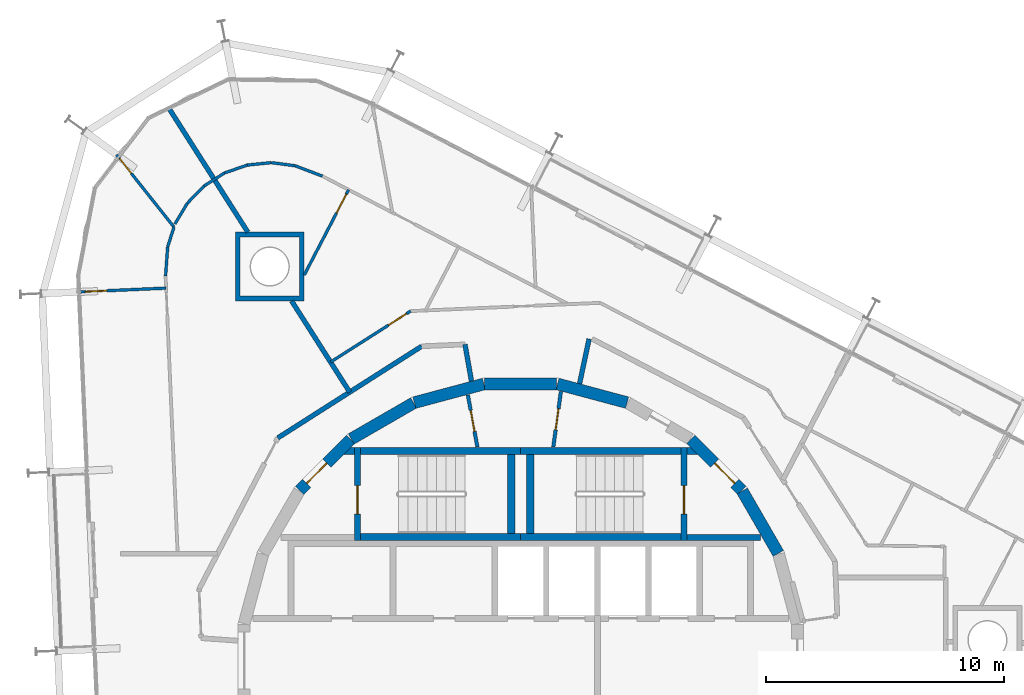
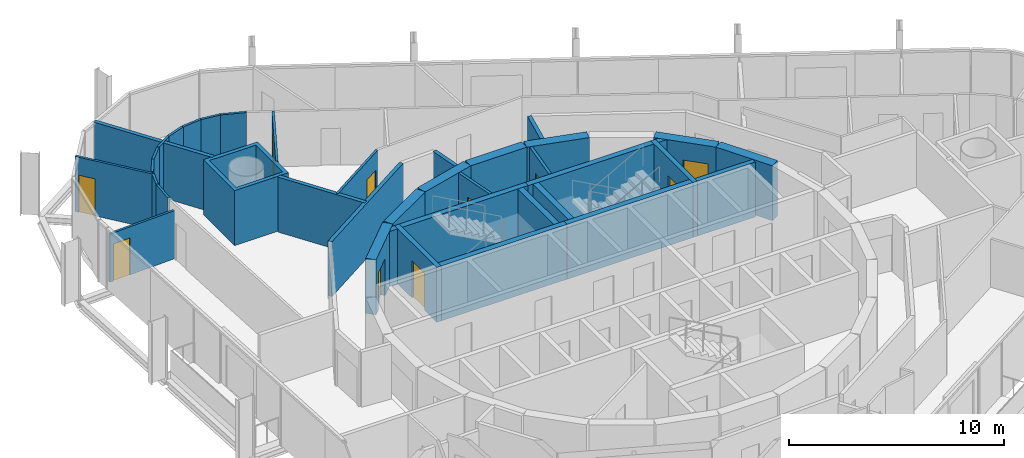
# One storey, part 15 of 17: 39 walls, 10 doors, 10 openings.
"""IFC4 building model written with IfcOpenShell, lengths in metres."""

from ifc_helpers import new_model, si_unit, direction, frame, frame_2d, origin, place, context, subcontext, project, spatial, polyline, rectangle, outline, extrude, material, layer, layer_set, type_object, element, fill, save


model = new_model("IFC4")

# Units and contexts
model_context = context("Model", 3, precision=1e-05, world=origin(), true_north=direction((0.0, 1.0)))
body_context = subcontext(model_context, "Body", "Model", "MODEL_VIEW")
ifc_project = project(units=[si_unit("LENGTHUNIT", "METRE"), si_unit("AREAUNIT", "SQUARE_METRE"), si_unit("VOLUMEUNIT", "CUBIC_METRE"), si_unit("PLANEANGLEUNIT", "RADIAN"), si_unit("MASSUNIT", "GRAM", prefix="KILO")], contexts=[model_context])

# Site, building, storey
site_placement = place(None, origin())
site = spatial("IfcSite", under=ifc_project, at=site_placement, CompositionType="ELEMENT")
building_placement = place(site_placement, origin())
building = spatial("IfcBuilding", under=site, at=building_placement, Name="Spindle Arch Residences", CompositionType="ELEMENT")
storey_placement = place(building_placement, frame((0.0, 0.0, 237.199951171875)))
storey = spatial("IfcBuildingStorey", under=building, at=storey_placement, Name="L60", CompositionType="ELEMENT", Elevation=237.199951171875)

# Wall
ifc_material_1 = material(Name="Concrete C50/60", Category="concrete")
ifc_layer_1 = layer(ifc_material_1, 0.5)
ifc_layer_set_1 = layer_set([ifc_layer_1], Name="Core outline wall 500")
wall_type_1 = type_object("IfcWallType", Name="Core outline wall 500", PredefinedType="SHEAR", material=ifc_layer_set_1)
wall_1_placement = place(storey_placement, frame((10.84521484375, 4.510498046875, 0.0), z_axis=(0.0, 0.0, 1.0), x_axis=(-0.500087131594, 0.865975092491, 0.0)))
element("IfcWall", 1, at=wall_1_placement, inside=storey, type_object=wall_type_1, Name="Core outline wall 8", PredefinedType="SHEAR", context=body_context, shape_type="SweptSolid", body=[
    extrude(rectangle(XDim=3.03271484375, YDim=0.5, at=frame_2d((1.516357421875, 0.0))), origin(), (0.0, 0.0, 1.0), 3.1201171875),
])

# Wall, opening, door
wall_2_placement = place(storey_placement, frame((9.30810546875, 7.163818359375, 0.0), z_axis=(0.0, 0.0, 1.0), x_axis=(-0.707106781187, 0.707106781187, 0.0)))
wall_2 = element("IfcWall", 2, at=wall_2_placement, inside=storey, type_object=wall_type_1, Name="Core outline wall 9", PredefinedType="SHEAR", context=body_context, shape_type="SweptSolid", body=[
    extrude(rectangle(XDim=3.032470703125, YDim=0.5, at=frame_2d((1.51611328125, 0.0))), origin(), (0.0, 0.0, 1.0), 3.1201171875),
])
opening_1_placement = place(wall_2_placement, frame((0.416259765625, 0.0, 0.0)))
opening_1 = element("IfcOpeningElement", 3, at=opening_1_placement, cuts=wall_2, Name="Opening R6B1-AD01", PredefinedType="OPENING", context=body_context, shape_type="SweptSolid", body=[
    extrude(rectangle(XDim=1.199951171875, YDim=2.10009765625, at=frame_2d((0.60009765625, 1.050048828125))), frame((0.0, 0.260009765625, 0.0), z_axis=(0.0, -1.0, 0.0), x_axis=(1.0, 0.0, 0.0)), (0.0, 0.0, 1.0), 0.52001953125),
])
ifc_material_2 = material(Name="Steel, fire-resisting door", Category="steel")
door_type_1 = type_object("IfcDoorType", Name="Stair airlock door 1200x2100", OperationType="SINGLE_SWING_LEFT", PredefinedType="DOOR", material=ifc_material_2)
door_1_placement = place(opening_1_placement, origin())
door_1 = element("IfcDoor", 4, at=door_1_placement, inside=storey, type_object=door_type_1, Name="Stair airlock door R6B1-AD01", OperationType="SINGLE_SWING_RIGHT", OverallHeight=2.10009765625, OverallWidth=1.199951171875, PredefinedType="DOOR", context=body_context, shape_type="SweptSolid", body=[
    extrude(rectangle(XDim=1.199951171875, YDim=2.10009765625, at=frame_2d((0.60009765625, 1.050048828125))), frame((0.0, 0.02490234375, 0.0), z_axis=(0.0, -1.0, 0.0), x_axis=(1.0, 0.0, 0.0)), (0.0, 0.0, 1.0), 0.050048828125),
])
fill(opening_1, door_1)

# Walls
for number, where, z_axis, x_axis, name in (
    (5, (4.479248046875, 10.858154296875, 0.0), (0.0, 0.0, 1.0), (-0.965948410781, 0.258734743916, 0.0), "Core outline wall 11"),
    (6, (1.516357421875, 11.647216796875, 0.0), (0.0, 0.0, 1.0), (-1.0, 0.0, 0.0), "Core outline wall 12"),
    (7, (-1.5498046875, 11.642822265625, 0.0), (0.0, 0.0, 1.0), (-0.965948410781, -0.258734743916, 0.0), "Core outline wall 13"),
    (8, (-4.510498046875, 10.84521484375, 0.0), (0.0, 0.0, 1.0), (-0.865975092491, -0.500087131594, 0.0), "Core outline wall 14"),
):
    element("IfcWall", number, at=place(storey_placement, frame(where, z_axis=z_axis, x_axis=x_axis)), inside=storey, type_object=wall_type_1, Name=name, PredefinedType="SHEAR", context=body_context, shape_type="SweptSolid", body=[
        extrude(rectangle(XDim=3.03271484375, YDim=0.5, at=frame_2d((1.516357421875, 0.0))), origin(), (0.0, 0.0, 1.0), 3.1201171875),
    ])

# Wall, opening, door
wall_3_placement = place(storey_placement, frame((-7.163818359375, 9.30810546875, 0.0), z_axis=(0.0, 0.0, 1.0), x_axis=(-0.707106781187, -0.707106781187, 0.0)))
wall_3 = element("IfcWall", 9, at=wall_3_placement, inside=storey, type_object=wall_type_1, Name="Core outline wall 15", PredefinedType="SHEAR", context=body_context, shape_type="SweptSolid", body=[
    extrude(rectangle(XDim=3.032470703125, YDim=0.5, at=frame_2d((1.51611328125, 0.0))), origin(), (0.0, 0.0, 1.0), 3.1201171875),
])
opening_2_placement = place(wall_3_placement, frame((1.416259765625, 0.0, 0.0)))
opening_2 = element("IfcOpeningElement", 10, at=opening_2_placement, cuts=wall_3, Name="Opening R6B1-AD02", PredefinedType="OPENING", context=body_context, shape_type="SweptSolid", body=[
    extrude(rectangle(XDim=1.199951171875, YDim=2.10009765625, at=frame_2d((0.60009765625, 1.050048828125))), frame((0.0, 0.260009765625, 0.0), z_axis=(0.0, -1.0, 0.0), x_axis=(1.0, 0.0, 0.0)), (0.0, 0.0, 1.0), 0.52001953125),
])
door_2_placement = place(opening_2_placement, origin())
door_2 = element("IfcDoor", 11, at=door_2_placement, inside=storey, type_object=door_type_1, Name="Stair airlock door R6B1-AD02", OperationType="SINGLE_SWING_RIGHT", OverallHeight=2.10009765625, OverallWidth=1.199951171875, PredefinedType="DOOR", context=body_context, shape_type="SweptSolid", body=[
    extrude(rectangle(XDim=1.199951171875, YDim=2.10009765625, at=frame_2d((0.60009765625, 1.050048828125))), frame((0.0, 0.02490234375, 0.0), z_axis=(0.0, -1.0, 0.0), x_axis=(1.0, 0.0, 0.0)), (0.0, 0.0, 1.0), 0.050048828125),
])
fill(opening_2, door_2)

# Walls
ifc_material_3 = material(Name="Calcium silicate block, plastered")
ifc_layer_2 = layer(ifc_material_3, 0.199951171875)
ifc_layer_set_2 = layer_set([ifc_layer_2], Name="Corridor wall 200")
wall_type_2 = type_object("IfcWallType", Name="Corridor wall 200", PredefinedType="STANDARD", material=ifc_layer_set_2)
wall_4_placement = place(storey_placement, frame((2.877685546875, 13.538330078125, 0.0), z_axis=(0.0, 0.0, 1.0), x_axis=(-0.207893604596, -0.978151444904, 0.0)))
element("IfcWall", 12, at=wall_4_placement, inside=storey, type_object=wall_type_2, Name="Corridor wall R6B1-W006", PredefinedType="STANDARD", context=body_context, shape_type="SweptSolid", body=[
    extrude(rectangle(XDim=1.927001953125, YDim=0.199951171875, at=frame_2d((0.96337890625, 0.0))), origin(), (0.0, 0.0, 1.0), 3.1201171875),
])
wall_5_placement = place(storey_placement, frame((-2.07373046875, 11.76123046875, 0.0), z_axis=(0.0, 0.0, 1.0), x_axis=(-0.173679082312, 0.984802303189, 0.0)))
element("IfcWall", 13, at=wall_5_placement, inside=storey, type_object=wall_type_2, Name="Corridor wall R6B1-W010", PredefinedType="STANDARD", context=body_context, shape_type="SweptSolid", body=[
    extrude(rectangle(XDim=1.572998046875, YDim=0.199951171875, at=frame_2d((0.78662109375, 0.0))), origin(), (0.0, 0.0, 1.0), 3.1201171875),
])
wall_6_placement = place(storey_placement, frame((-4.171630859375, 13.230712890625, 0.0), z_axis=(0.0, 0.0, 1.0), x_axis=(-0.843388394728, -0.537304397561, 0.0)))
element("IfcWall", 14, at=wall_6_placement, inside=storey, type_object=wall_type_2, Name="Corridor wall R6B1-W012", PredefinedType="STANDARD", context=body_context, shape_type="SweptSolid", body=[
    extrude(rectangle(XDim=7.180908203125, YDim=0.199951171875, at=frame_2d((3.59033203125, 0.0))), origin(), (0.0, 0.0, 1.0), 3.1201171875),
])

# Wall, opening, door
ifc_material_4 = material(Name="Plasterboard on steel studs", Category="steel")
ifc_layer_3 = layer(ifc_material_4, 0.1201171875)
ifc_layer_set_3 = layer_set([ifc_layer_3], Name="Flat partition 120")
wall_type_3 = type_object("IfcWallType", Name="Flat partition 120", PredefinedType="PARTITIONING", material=ifc_layer_set_3)
wall_7_placement = place(storey_placement, frame((-4.638671875, 14.711669921875, 0.0), z_axis=(0.0, 0.0, 1.0), x_axis=(-0.843376843237, -0.537322529113, 0.0)))
wall_7 = element("IfcWall", 15, at=wall_7_placement, inside=storey, type_object=wall_type_3, Name="Flat partition R6B1-W053", PredefinedType="PARTITIONING", context=body_context, shape_type="SweptSolid", body=[
    extrude(rectangle(XDim=3.992431640625, YDim=0.1201171875, at=frame_2d((1.99609375, 0.0))), origin(), (0.0, 0.0, 1.0), 3.1201171875),
])
opening_3_placement = place(wall_7_placement, frame((0.199951171875, 0.0, 0.0)))
opening_3 = element("IfcOpeningElement", 16, at=opening_3_placement, cuts=wall_7, Name="Opening R6B1-ID07", PredefinedType="OPENING", context=body_context, shape_type="SweptSolid", body=[
    extrude(rectangle(XDim=0.89990234375, YDim=2.10009765625, at=frame_2d((0.449951171875, 1.050048828125))), frame((0.0, 0.070068359375, 0.0), z_axis=(0.0, -1.0, 0.0), x_axis=(1.0, 0.0, 0.0)), (0.0, 0.0, 1.0), 0.14013671875),
])
ifc_material_5 = material(Name="Timber door set", Category="wood")
door_type_2 = type_object("IfcDoorType", Name="Room door 900x2100", OperationType="NOTDEFINED", PredefinedType="DOOR", material=ifc_material_5)
door_3_placement = place(opening_3_placement, origin())
door_3 = element("IfcDoor", 17, at=door_3_placement, inside=storey, type_object=door_type_2, Name="Room door R6B1-ID07", OperationType="SINGLE_SWING_RIGHT", OverallHeight=2.10009765625, OverallWidth=0.89990234375, PredefinedType="DOOR", context=body_context, shape_type="SweptSolid", body=[
    extrude(rectangle(XDim=0.89990234375, YDim=2.10009765625, at=frame_2d((0.449951171875, 1.050048828125))), frame((0.0, 0.02490234375, 0.0), z_axis=(0.0, -1.0, 0.0), x_axis=(1.0, 0.0, 0.0)), (0.0, 0.0, 1.0), 0.050048828125),
])
fill(opening_3, door_3)

wall_8_placement = place(storey_placement, frame((-7.246826171875, 19.820068359375, 0.0), z_axis=(0.0, 0.0, 1.0), x_axis=(-0.461733980956, -0.887018450107, 0.0)))
wall_8 = element("IfcWall", 18, at=wall_8_placement, inside=storey, type_object=wall_type_3, Name="Flat partition R6B1-W058", PredefinedType="PARTITIONING", context=body_context, shape_type="SweptSolid", body=[
    extrude(rectangle(XDim=4.05224609375, YDim=0.1201171875, at=frame_2d((2.026123046875, 0.0))), origin(), (0.0, 0.0, 1.0), 3.1201171875),
])
opening_4_placement = place(wall_8_placement, frame((0.199951171875, 0.0, 0.0)))
opening_4 = element("IfcOpeningElement", 19, at=opening_4_placement, cuts=wall_8, Name="Opening R6B1-ID09", PredefinedType="OPENING", context=body_context, shape_type="SweptSolid", body=[
    extrude(rectangle(XDim=0.89990234375, YDim=2.10009765625, at=frame_2d((0.449951171875, 1.050048828125))), frame((0.0, 0.070068359375, 0.0), z_axis=(0.0, -1.0, 0.0), x_axis=(1.0, 0.0, 0.0)), (0.0, 0.0, 1.0), 0.14013671875),
])
door_4_placement = place(opening_4_placement, origin())
door_4 = element("IfcDoor", 20, at=door_4_placement, inside=storey, type_object=door_type_2, Name="Room door R6B1-ID09", OperationType="SINGLE_SWING_RIGHT", OverallHeight=2.10009765625, OverallWidth=0.89990234375, PredefinedType="DOOR", context=body_context, shape_type="SweptSolid", body=[
    extrude(rectangle(XDim=0.89990234375, YDim=2.10009765625, at=frame_2d((0.449951171875, 1.050048828125))), frame((0.0, 0.02490234375, 0.0), z_axis=(0.0, -1.0, 0.0), x_axis=(1.0, 0.0, 0.0)), (0.0, 0.0, 1.0), 0.050048828125),
])
fill(opening_4, door_4)

# Walls
for number, where, z_axis, x_axis, name in (
    (21, (-13.33154296875, 19.980712890625, 0.0), (0.0, 0.0, 1.0), (0.843404143432, 0.537279676557, 0.0), "Flat partition R6B1-W059"),
    (22, (-12.474609375, 20.526611328125, 0.0), (0.0, 0.0, 1.0), (0.944594007355, 0.32824101095, 0.0), "Flat partition R6B1-W060"),
):
    element("IfcWall", number, at=place(storey_placement, frame(where, z_axis=z_axis, x_axis=x_axis)), inside=storey, type_object=wall_type_3, Name=name, PredefinedType="PARTITIONING", context=body_context, shape_type="SweptSolid", body=[
        extrude(rectangle(XDim=1.01611328125, YDim=0.1201171875, at=frame_2d((0.508056640625, 0.0))), origin(), (0.0, 0.0, 1.0), 3.1201171875),
    ])
wall_9_placement = place(storey_placement, frame((-11.514892578125, 20.860107421875, 0.0), z_axis=(0.0, 0.0, 1.0), x_axis=(0.994818278641, 0.101669034034, 0.0)))
element("IfcWall", 23, at=wall_9_placement, inside=storey, type_object=wall_type_3, Name="Flat partition R6B1-W061", PredefinedType="PARTITIONING", context=body_context, shape_type="SweptSolid", body=[
    extrude(rectangle(XDim=1.015869140625, YDim=0.1201171875, at=frame_2d((0.5078125, 0.0))), origin(), (0.0, 0.0, 1.0), 3.1201171875),
])
wall_10_placement = place(storey_placement, frame((-10.50439453125, 20.96337890625, 0.0), z_axis=(0.0, 0.0, 1.0), x_axis=(0.991451023706, -0.13047937612, 0.0)))
element("IfcWall", 24, at=wall_10_placement, inside=storey, type_object=wall_type_3, Name="Flat partition R6B1-W062", PredefinedType="PARTITIONING", context=body_context, shape_type="SweptSolid", body=[
    extrude(rectangle(XDim=1.01611328125, YDim=0.1201171875, at=frame_2d((0.508056640625, 0.0))), origin(), (0.0, 0.0, 1.0), 3.1201171875),
])
wall_11_placement = place(storey_placement, frame((-9.4970703125, 20.830810546875, 0.0), z_axis=(0.0, 0.0, 1.0), x_axis=(0.934575963521, -0.355763641213, 0.0)))
element("IfcWall", 25, at=wall_11_placement, inside=storey, type_object=wall_type_3, Name="Flat partition R6B1-W063", PredefinedType="PARTITIONING", context=body_context, shape_type="SweptSolid", body=[
    extrude(rectangle(XDim=1.22705078125, YDim=0.1201171875, at=frame_2d((0.613525390625, 0.0))), origin(), (0.0, 0.0, 1.0), 3.1201171875),
])
for number, where, z_axis, x_axis, name in (
    (26, (-13.33154296875, 19.980712890625, 0.0), (0.0, 0.0, 1.0), (-0.69669736192, -0.717365169138, 0.0), "Flat partition R6B1-W064"),
    (27, (-14.039306640625, 19.251953125, 0.0), (0.0, 0.0, 1.0), (-0.512586118981, -0.858635819558, 0.0), "Flat partition R6B1-W065"),
):
    element("IfcWall", number, at=place(storey_placement, frame(where, z_axis=z_axis, x_axis=x_axis)), inside=storey, type_object=wall_type_3, Name=name, PredefinedType="PARTITIONING", context=body_context, shape_type="SweptSolid", body=[
        extrude(rectangle(XDim=1.015869140625, YDim=0.1201171875, at=frame_2d((0.5078125, 0.0))), origin(), (0.0, 0.0, 1.0), 3.1201171875),
    ])
wall_12_placement = place(storey_placement, frame((-14.600830078125, 18.250244140625, 0.0), z_axis=(0.0, 0.0, 1.0), x_axis=(-0.300706496876, -0.953716730867, 0.0)))
element("IfcWall", 28, at=wall_12_placement, inside=storey, type_object=wall_type_3, Name="Flat partition R6B1-W066", PredefinedType="PARTITIONING", context=body_context, shape_type="SweptSolid", body=[
    extrude(rectangle(XDim=0.880126953125, YDim=0.1201171875, at=frame_2d((0.43994140625, 0.0))), origin(), (0.0, 0.0, 1.0), 3.1201171875),
])
wall_13_placement = place(storey_placement, frame((-14.865478515625, 17.410888671875, 0.0), z_axis=(0.0, 0.0, 1.0), x_axis=(-0.072618457011, -0.997359794508, 0.0)))
element("IfcWall", 29, at=wall_13_placement, inside=storey, type_object=wall_type_3, Name="Flat partition R6B1-W067", PredefinedType="PARTITIONING", context=body_context, shape_type="SweptSolid", body=[
    extrude(rectangle(XDim=1.22705078125, YDim=0.1201171875, at=frame_2d((0.613525390625, 0.0))), origin(), (0.0, 0.0, 1.0), 3.1201171875),
])

# Wall, opening, door
wall_14_placement = place(storey_placement, frame((-17.015380859375, 21.2900390625, 0.0), z_axis=(0.0, 0.0, 1.0), x_axis=(0.621976289729, -0.783036075168, 0.0)))
wall_14 = element("IfcWall", 30, at=wall_14_placement, inside=storey, type_object=wall_type_3, Name="Flat partition R6B1-W069", PredefinedType="PARTITIONING", context=body_context, shape_type="SweptSolid", body=[
    extrude(rectangle(XDim=3.882080078125, YDim=0.1201171875, at=frame_2d((1.94091796875, 0.0))), origin(), (0.0, 0.0, 1.0), 3.1201171875),
])
opening_5_placement = place(wall_14_placement, frame((0.199951171875, 0.0, 0.0)))
opening_5 = element("IfcOpeningElement", 31, at=opening_5_placement, cuts=wall_14, Name="Opening R6B1-BD03", PredefinedType="OPENING", context=body_context, shape_type="SweptSolid", body=[
    extrude(rectangle(XDim=0.800048828125, YDim=2.10009765625, at=frame_2d((0.39990234375, 1.050048828125))), frame((0.0, 0.070068359375, 0.0), z_axis=(0.0, -1.0, 0.0), x_axis=(1.0, 0.0, 0.0)), (0.0, 0.0, 1.0), 0.14013671875),
])
ifc_material_6 = material(Name="Timber door set", Category="wood")
door_type_3 = type_object("IfcDoorType", Name="Bathroom door 800x2100", OperationType="NOTDEFINED", PredefinedType="DOOR", material=ifc_material_6)
door_5_placement = place(opening_5_placement, origin())
door_5 = element("IfcDoor", 32, at=door_5_placement, inside=storey, type_object=door_type_3, Name="Bathroom door R6B1-BD03", OperationType="SINGLE_SWING_LEFT", OverallHeight=2.10009765625, OverallWidth=0.800048828125, PredefinedType="DOOR", context=body_context, shape_type="SweptSolid", body=[
    extrude(rectangle(XDim=0.800048828125, YDim=2.10009765625, at=frame_2d((0.39990234375, 1.050048828125))), frame((0.0, 0.02490234375, 0.0), z_axis=(0.0, -1.0, 0.0), x_axis=(1.0, 0.0, 0.0)), (0.0, 0.0, 1.0), 0.050048828125),
])
fill(opening_5, door_5)

ifc_material_7 = material(Name="Plasterboard on steel studs", Category="steel")
ifc_layer_4 = layer(ifc_material_7, 0.1201171875)
ifc_layer_set_4 = layer_set([ifc_layer_4], Name="Flat partition 120 under beam 2730")
wall_type_4 = type_object("IfcWallType", Name="Flat partition 120 under beam 2730", PredefinedType="PARTITIONING", material=ifc_layer_set_4)
wall_15_placement = place(storey_placement, frame((-18.529052734375, 15.521728515625, 0.0), z_axis=(0.0, 0.0, 1.0), x_axis=(0.999048722018, 0.043607923987, 0.0)))
wall_15 = element("IfcWall", 33, at=wall_15_placement, inside=storey, type_object=wall_type_4, Name="Flat partition R6B1-W070", PredefinedType="PARTITIONING", context=body_context, shape_type="SweptSolid", body=[
    extrude(rectangle(XDim=3.599853515625, YDim=0.1201171875, at=frame_2d((1.7998046875, 0.0))), origin(), (0.0, 0.0, 1.0), 2.72998046875),
])
opening_6_placement = place(wall_15_placement, frame((0.199951171875, 0.0, 0.0)))
opening_6 = element("IfcOpeningElement", 34, at=opening_6_placement, cuts=wall_15, Name="Opening R6B1-ID12", PredefinedType="OPENING", context=body_context, shape_type="SweptSolid", body=[
    extrude(rectangle(XDim=0.89990234375, YDim=2.10009765625, at=frame_2d((0.449951171875, 1.050048828125))), frame((0.0, 0.070068359375, 0.0), z_axis=(0.0, -1.0, 0.0), x_axis=(1.0, 0.0, 0.0)), (0.0, 0.0, 1.0), 0.14013671875),
])
door_6_placement = place(opening_6_placement, origin())
door_6 = element("IfcDoor", 35, at=door_6_placement, inside=storey, type_object=door_type_2, Name="Room door R6B1-ID12", OperationType="SINGLE_SWING_LEFT", OverallHeight=2.10009765625, OverallWidth=0.89990234375, PredefinedType="DOOR", context=body_context, shape_type="SweptSolid", body=[
    extrude(rectangle(XDim=0.89990234375, YDim=2.10009765625, at=frame_2d((0.449951171875, 1.050048828125))), frame((0.0, 0.02490234375, 0.0), z_axis=(0.0, -1.0, 0.0), x_axis=(1.0, 0.0, 0.0)), (0.0, 0.0, 1.0), 0.050048828125),
])
fill(opening_6, door_6)

# Walls
ifc_material_8 = material(Name="Calcium silicate block, plastered")
ifc_layer_5 = layer(ifc_material_8, 0.199951171875)
ifc_layer_set_5 = layer_set([ifc_layer_5], Name="Flat party wall 200")
wall_type_5 = type_object("IfcWallType", Name="Flat party wall 200", PredefinedType="STANDARD", material=ifc_layer_set_5)
wall_16_placement = place(storey_placement, frame((-9.64501953125, 15.137939453125, 0.0), z_axis=(0.0, 0.0, 1.0), x_axis=(0.537267800866, -0.84341170857, 0.0)))
element("IfcWall", 36, at=wall_16_placement, inside=storey, type_object=wall_type_5, Name="Flat party wall R6B1-W031", PredefinedType="STANDARD", context=body_context, shape_type="SweptSolid", body=[
    extrude(rectangle(XDim=4.549560546875, YDim=0.199951171875, at=frame_2d((2.27490234375, 0.0))), origin(), (0.0, 0.0, 1.0), 3.1201171875),
])
wall_17_placement = place(storey_placement, frame((-14.83740234375, 23.289794921875, 0.0), z_axis=(0.0, 0.0, 1.0), x_axis=(0.537316863221, -0.843380452998, 0.0)))
element("IfcWall", 37, at=wall_17_placement, inside=storey, type_object=wall_type_5, Name="Flat party wall R6B1-W032", PredefinedType="STANDARD", context=body_context, shape_type="SweptSolid", body=[
    extrude(rectangle(XDim=6.226806640625, YDim=0.199951171875, at=frame_2d((3.11328125, 0.0))), origin(), (0.0, 0.0, 1.0), 3.1201171875),
])
ifc_material_9 = material(Name="Calcium silicate block, plastered")
ifc_layer_6 = layer(ifc_material_9, 0.199951171875)
ifc_layer_set_6 = layer_set([ifc_layer_6], Name="Mega-column casing wall 200")
wall_type_6 = type_object("IfcWallType", Name="Mega-column casing wall 200", PredefinedType="STANDARD", material=ifc_layer_set_6)
wall_18_placement = place(storey_placement, origin())
element("IfcWall", 38, at=wall_18_placement, inside=storey, type_object=wall_type_6, Name="Mega-column casing wall R6B1-WC02", PredefinedType="STANDARD", context=body_context, shape_type="SweptSolid", body=[
    extrude(outline(polyline([(-9.117919921875, 18.038330078125), (-9.117919921875, 15.138427734375), (-12.01806640625, 15.138427734375), (-12.01806640625, 18.038330078125), (-9.117919921875, 18.038330078125)]), holes=[polyline([(-11.818115234375, 15.33837890625), (-9.318115234375, 15.33837890625), (-9.318115234375, 17.83837890625), (-11.818115234375, 17.83837890625), (-11.818115234375, 15.33837890625)])]), origin(), (0.0, 0.0, 1.0), 3.1201171875),
])

# Wall, opening, door
ifc_material_10 = material(Name="Concrete C25/30", Category="concrete")
ifc_layer_7 = layer(ifc_material_10, 0.14990234375)
ifc_layer_set_7 = layer_set([ifc_layer_7], Name="Service room partition 150")
wall_type_7 = type_object("IfcWallType", Name="Service room partition 150", PredefinedType="PARTITIONING", material=ifc_layer_set_7)
wall_19_placement = place(storey_placement, frame((1.69091796875, 11.32568359375, 0.0), z_axis=(0.0, 0.0, 1.0), x_axis=(-0.135344253201, -0.990798633994, 0.0)))
wall_19 = element("IfcWall", 39, at=wall_19_placement, inside=storey, type_object=wall_type_7, Name="Core service room partition", PredefinedType="PARTITIONING", context=body_context, shape_type="SweptSolid", body=[
    extrude(rectangle(XDim=2.357666015625, YDim=0.14990234375, at=frame_2d((1.1787109375, 0.0))), origin(), (0.0, 0.0, 1.0), 3.1201171875),
])
opening_7_placement = place(wall_19_placement, frame((0.728759765625, 0.0, 0.0)))
opening_7 = element("IfcOpeningElement", 40, at=opening_7_placement, cuts=wall_19, Name="Opening R6B1-WD08", PredefinedType="OPENING", context=body_context, shape_type="SweptSolid", body=[
    extrude(rectangle(XDim=0.89990234375, YDim=2.10009765625, at=frame_2d((0.449951171875, 1.050048828125))), frame((0.0, 0.0849609375, 0.0), z_axis=(0.0, -1.0, 0.0), x_axis=(1.0, 0.0, 0.0)), (0.0, 0.0, 1.0), 0.169921875),
])
ifc_material_11 = material(Name="Steel, fire-resisting door", Category="steel")
door_type_4 = type_object("IfcDoorType", Name="Service room door 900x2100", OperationType="SINGLE_SWING_LEFT", PredefinedType="DOOR", material=ifc_material_11)
door_7_placement = place(opening_7_placement, origin())
door_7 = element("IfcDoor", 41, at=door_7_placement, inside=storey, type_object=door_type_4, Name="Service room door R6B1-WD08", OperationType="SINGLE_SWING_RIGHT", OverallHeight=2.10009765625, OverallWidth=0.89990234375, PredefinedType="DOOR", context=body_context, shape_type="SweptSolid", body=[
    extrude(rectangle(XDim=0.89990234375, YDim=2.10009765625, at=frame_2d((0.449951171875, 1.050048828125))), frame((0.0, 0.02490234375, 0.0), z_axis=(0.0, -1.0, 0.0), x_axis=(1.0, 0.0, 0.0)), (0.0, 0.0, 1.0), 0.050048828125),
])
fill(opening_7, door_7)

wall_20_placement = place(storey_placement, frame((-1.824951171875, 8.98974609375, 0.0), z_axis=(0.0, 0.0, 1.0), x_axis=(-0.179955206115, 0.983674805915, 0.0)))
wall_20 = element("IfcWall", 42, at=wall_20_placement, inside=storey, type_object=wall_type_7, Name="Core service room partition", PredefinedType="PARTITIONING", context=body_context, shape_type="SweptSolid", body=[
    extrude(rectangle(XDim=2.22900390625, YDim=0.14990234375, at=frame_2d((1.114501953125, 0.0))), origin(), (0.0, 0.0, 1.0), 3.1201171875),
])
opening_8_placement = place(wall_20_placement, frame((0.66455078125, 0.0, 0.0)))
opening_8 = element("IfcOpeningElement", 43, at=opening_8_placement, cuts=wall_20, Name="Opening R6B1-WD09", PredefinedType="OPENING", context=body_context, shape_type="SweptSolid", body=[
    extrude(rectangle(XDim=0.89990234375, YDim=2.10009765625, at=frame_2d((0.449951171875, 1.050048828125))), frame((0.0, 0.0849609375, 0.0), z_axis=(0.0, -1.0, 0.0), x_axis=(1.0, 0.0, 0.0)), (0.0, 0.0, 1.0), 0.169921875),
])
door_8_placement = place(opening_8_placement, origin())
door_8 = element("IfcDoor", 44, at=door_8_placement, inside=storey, type_object=door_type_4, Name="Service room door R6B1-WD09", OperationType="SINGLE_SWING_LEFT", OverallHeight=2.10009765625, OverallWidth=0.89990234375, PredefinedType="DOOR", context=body_context, shape_type="SweptSolid", body=[
    extrude(rectangle(XDim=0.89990234375, YDim=2.10009765625, at=frame_2d((0.449951171875, 1.050048828125))), frame((0.0, 0.02490234375, 0.0), z_axis=(0.0, -1.0, 0.0), x_axis=(1.0, 0.0, 0.0)), (0.0, 0.0, 1.0), 0.050048828125),
])
fill(opening_8, door_8)

# Walls
ifc_material_12 = material(Name="Concrete C40/50", Category="concrete")
ifc_layer_8 = layer(ifc_material_12, 0.25)
ifc_layer_set_8 = layer_set([ifc_layer_8], Name="Stair airlock wall 250")
wall_type_8 = type_object("IfcWallType", Name="Stair airlock wall 250", PredefinedType="SHEAR", material=ifc_layer_set_8)
wall_21_placement = place(storey_placement, frame((7.0, 5.175048828125, 0.0), z_axis=(0.0, 0.0, 1.0), x_axis=(1.0, 0.0, 0.0)))
element("IfcWall", 45, at=wall_21_placement, inside=storey, type_object=wall_type_8, Name="Stair ST-1 airlock wall S", PredefinedType="SHEAR", context=body_context, shape_type="SweptSolid", body=[
    extrude(rectangle(XDim=3.10009765625, YDim=0.25, at=frame_2d((1.550048828125, 0.0))), origin(), (0.0, 0.0, 1.0), 3.1201171875),
])
ifc_material_13 = material(Name="Concrete C40/50", Category="concrete")
wall_type_9 = type_object("IfcWallType", Name="Stair airlock wall profile", PredefinedType="SHEAR", material=ifc_material_13)
wall_22_placement = place(storey_placement, origin())
element("IfcWall", 46, at=wall_22_placement, inside=storey, type_object=wall_type_9, Name="Stair ST-1 airlock wall N", PredefinedType="SHEAR", context=body_context, shape_type="SweptSolid", body=[
    extrude(outline(polyline([(7.4482421875, 8.669921875), (7.0, 8.669921875), (7.0, 8.969970703125), (7.148193359375, 8.969970703125), (7.4482421875, 8.669921875)])), origin(), (0.0, 0.0, 1.0), 3.1201171875),
])
wall_23_placement = place(storey_placement, origin())
element("IfcWall", 47, at=wall_23_placement, inside=storey, type_object=wall_type_9, Name="Stair ST-2 airlock wall N", PredefinedType="SHEAR", context=body_context, shape_type="SweptSolid", body=[
    extrude(outline(polyline([(-7.148193359375, 8.969970703125), (-7.0, 8.969970703125), (-7.0, 8.669921875), (-7.4482421875, 8.669921875), (-7.148193359375, 8.969970703125)])), origin(), (0.0, 0.0, 1.0), 3.1201171875),
])

# Wall, opening, door
ifc_material_14 = material(Name="Concrete C50/60", Category="concrete")
ifc_layer_9 = layer(ifc_material_14, 0.25)
ifc_layer_set_9 = layer_set([ifc_layer_9], Name="Stair enclosure wall 250")
wall_type_10 = type_object("IfcWallType", Name="Stair enclosure wall 250", PredefinedType="SHEAR", material=ifc_layer_set_9)
wall_24_placement = place(storey_placement, frame((6.875, 5.050048828125, 0.0), z_axis=(0.0, 0.0, 1.0), x_axis=(0.0, 1.0, 0.0)))
wall_24 = element("IfcWall", 48, at=wall_24_placement, inside=storey, type_object=wall_type_10, Name="Stair ST-1 door wall", PredefinedType="SHEAR", context=body_context, shape_type="SweptSolid", body=[
    extrude(rectangle(XDim=3.919921875, YDim=0.25, at=frame_2d((1.9599609375, 0.0))), origin(), (0.0, 0.0, 1.0), 3.1201171875),
])
opening_9_placement = place(wall_24_placement, frame((1.110107421875, 0.0, 0.0)))
opening_9 = element("IfcOpeningElement", 49, at=opening_9_placement, cuts=wall_24, Name="Opening R6B1-SD01", PredefinedType="OPENING", context=body_context, shape_type="SweptSolid", body=[
    extrude(rectangle(XDim=1.199951171875, YDim=2.10009765625, at=frame_2d((0.60009765625, 1.050048828125))), frame((0.0, 0.135009765625, 0.0), z_axis=(0.0, -1.0, 0.0), x_axis=(1.0, 0.0, 0.0)), (0.0, 0.0, 1.0), 0.27001953125),
])
ifc_material_15 = material(Name="Steel, fire-resisting door", Category="steel")
door_type_5 = type_object("IfcDoorType", Name="Stair door 1200x2100", OperationType="SINGLE_SWING_RIGHT", PredefinedType="DOOR", material=ifc_material_15)
door_9_placement = place(opening_9_placement, origin())
door_9 = element("IfcDoor", 50, at=door_9_placement, inside=storey, type_object=door_type_5, Name="Stair door R6B1-SD01", OperationType="SINGLE_SWING_LEFT", OverallHeight=2.10009765625, OverallWidth=1.199951171875, PredefinedType="DOOR", context=body_context, shape_type="SweptSolid", body=[
    extrude(rectangle(XDim=1.199951171875, YDim=2.10009765625, at=frame_2d((0.60009765625, 1.050048828125))), frame((0.0, 0.02490234375, 0.0), z_axis=(0.0, -1.0, 0.0), x_axis=(1.0, 0.0, 0.0)), (0.0, 0.0, 1.0), 0.050048828125),
])
fill(opening_9, door_9)

wall_25_placement = place(storey_placement, frame((-6.875, 8.969970703125, 0.0), z_axis=(0.0, 0.0, 1.0), x_axis=(0.0, -1.0, 0.0)))
wall_25 = element("IfcWall", 51, at=wall_25_placement, inside=storey, type_object=wall_type_10, Name="Stair ST-2 door wall", PredefinedType="SHEAR", context=body_context, shape_type="SweptSolid", body=[
    extrude(rectangle(XDim=3.919921875, YDim=0.25, at=frame_2d((1.9599609375, 0.0))), origin(), (0.0, 0.0, 1.0), 3.1201171875),
])
opening_10_placement = place(wall_25_placement, frame((1.610107421875, 0.0, 0.0)))
opening_10 = element("IfcOpeningElement", 52, at=opening_10_placement, cuts=wall_25, Name="Opening R6B1-SD02", PredefinedType="OPENING", context=body_context, shape_type="SweptSolid", body=[
    extrude(rectangle(XDim=1.199951171875, YDim=2.10009765625, at=frame_2d((0.60009765625, 1.050048828125))), frame((0.0, 0.135009765625, 0.0), z_axis=(0.0, -1.0, 0.0), x_axis=(1.0, 0.0, 0.0)), (0.0, 0.0, 1.0), 0.27001953125),
])
door_10_placement = place(opening_10_placement, origin())
door_10 = element("IfcDoor", 53, at=door_10_placement, inside=storey, type_object=door_type_5, Name="Stair door R6B1-SD02", OperationType="SINGLE_SWING_LEFT", OverallHeight=2.10009765625, OverallWidth=1.199951171875, PredefinedType="DOOR", context=body_context, shape_type="SweptSolid", body=[
    extrude(rectangle(XDim=1.199951171875, YDim=2.10009765625, at=frame_2d((0.60009765625, 1.050048828125))), frame((0.0, 0.02490234375, 0.0), z_axis=(0.0, -1.0, 0.0), x_axis=(1.0, 0.0, 0.0)), (0.0, 0.0, 1.0), 0.050048828125),
])
fill(opening_10, door_10)

# Walls
ifc_material_16 = material(Name="Concrete C50/60", Category="concrete")
ifc_layer_10 = layer(ifc_material_16, 0.300048828125)
ifc_layer_set_10 = layer_set([ifc_layer_10], Name="Stair enclosure wall 300")
wall_type_11 = type_object("IfcWallType", Name="Stair enclosure wall 300", PredefinedType="SHEAR", material=ifc_layer_set_10)
for number, where, z_axis, x_axis, name in (
    (54, (0.0, 5.199951171875, 0.0), (0.0, 0.0, 1.0), (1.0, 0.0, 0.0), "Stair ST-1 enclosure wall S"),
    (55, (0.0, 8.820068359375, 0.0), (0.0, 0.0, 1.0), (1.0, 0.0, 0.0), "Stair ST-1 enclosure wall N"),
):
    element("IfcWall", number, at=place(storey_placement, frame(where, z_axis=z_axis, x_axis=x_axis)), inside=storey, type_object=wall_type_11, Name=name, PredefinedType="SHEAR", context=body_context, shape_type="SweptSolid", body=[
        extrude(rectangle(XDim=6.75, YDim=0.300048828125, at=frame_2d((3.375, 0.0))), origin(), (0.0, 0.0, 1.0), 3.1201171875),
    ])
wall_26_placement = place(storey_placement, frame((0.39990234375, 5.35009765625, 0.0), z_axis=(0.0, 0.0, 1.0), x_axis=(0.0, 1.0, 0.0)))
element("IfcWall", 56, at=wall_26_placement, inside=storey, type_object=wall_type_11, Name="Stair ST-1 enclosure wall F", PredefinedType="SHEAR", context=body_context, shape_type="SweptSolid", body=[
    extrude(rectangle(XDim=3.31982421875, YDim=0.300048828125, at=frame_2d((1.659912109375, 0.0))), origin(), (0.0, 0.0, 1.0), 3.1201171875),
])
for number, where, z_axis, x_axis, name in (
    (57, (-6.75, 5.199951171875, 0.0), (0.0, 0.0, 1.0), (1.0, 0.0, 0.0), "Stair ST-2 enclosure wall S"),
    (58, (-6.75, 8.820068359375, 0.0), (0.0, 0.0, 1.0), (1.0, 0.0, 0.0), "Stair ST-2 enclosure wall N"),
):
    element("IfcWall", number, at=place(storey_placement, frame(where, z_axis=z_axis, x_axis=x_axis)), inside=storey, type_object=wall_type_11, Name=name, PredefinedType="SHEAR", context=body_context, shape_type="SweptSolid", body=[
        extrude(rectangle(XDim=6.75, YDim=0.300048828125, at=frame_2d((3.375, 0.0))), origin(), (0.0, 0.0, 1.0), 3.1201171875),
    ])
wall_27_placement = place(storey_placement, frame((-0.39990234375, 5.35009765625, 0.0), z_axis=(0.0, 0.0, 1.0), x_axis=(0.0, 1.0, 0.0)))
element("IfcWall", 59, at=wall_27_placement, inside=storey, type_object=wall_type_11, Name="Stair ST-2 enclosure wall F", PredefinedType="SHEAR", context=body_context, shape_type="SweptSolid", body=[
    extrude(rectangle(XDim=3.31982421875, YDim=0.300048828125, at=frame_2d((1.659912109375, 0.0))), origin(), (0.0, 0.0, 1.0), 3.1201171875),
])

save(model, "model.ifc")
